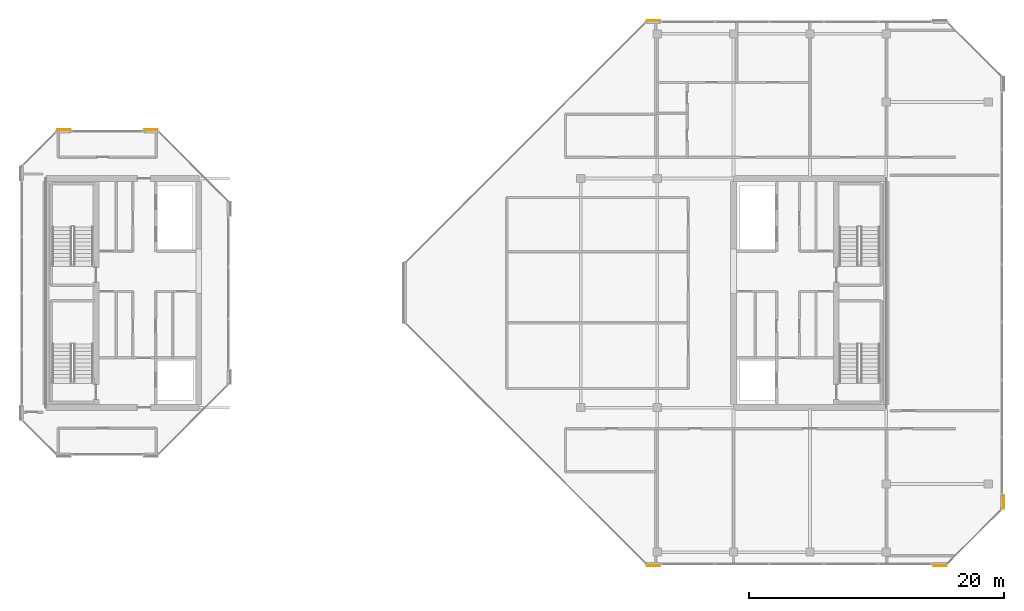
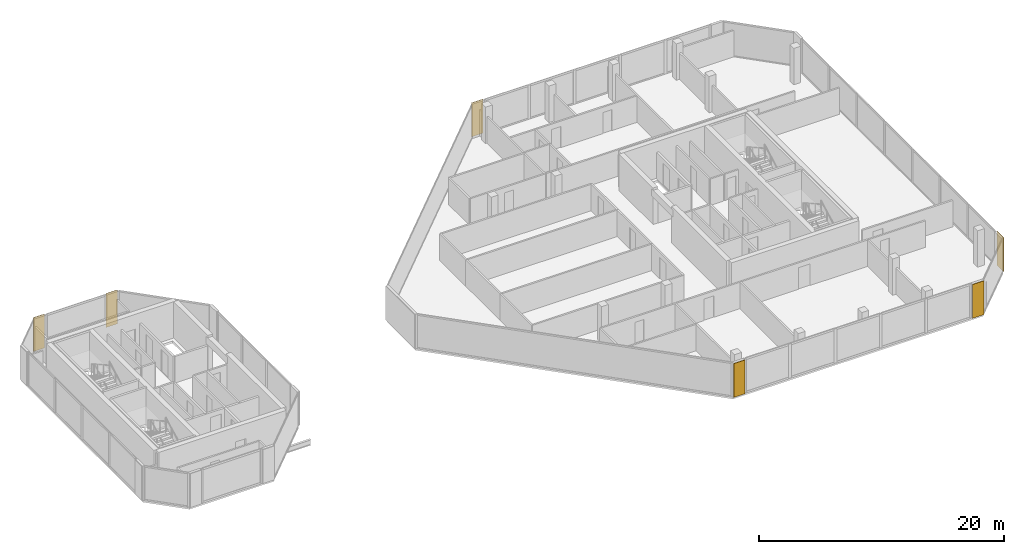
# One storey, part 29 of 30: 6 coverings.
"""IFC4 building model written with IfcOpenShell, lengths in metres."""

from ifc_helpers import new_model, si_unit, direction, frame, origin, origin_2d, place, context, subcontext, project, spatial, rectangle, extrude, material, layer, layer_set, type_object, element, save


model = new_model("IFC4")

# Units and contexts
model_context = context("Model", 3, precision=1e-05, world=origin(), true_north=direction((0.0, 1.0)))
body_context = subcontext(model_context, "Body", "Model", "MODEL_VIEW")
ifc_project = project(units=[si_unit("LENGTHUNIT", "METRE"), si_unit("AREAUNIT", "SQUARE_METRE"), si_unit("VOLUMEUNIT", "CUBIC_METRE"), si_unit("PLANEANGLEUNIT", "RADIAN"), si_unit("MASSUNIT", "GRAM", prefix="KILO")], contexts=[model_context])

# Site, building, storey
site_placement = place(None, origin())
site = spatial("IfcSite", under=ifc_project, at=site_placement, CompositionType="ELEMENT")
building_placement = place(site_placement, origin())
building = spatial("IfcBuilding", under=site, at=building_placement, Name="Tanjung Sevakor Pilgrim Tower", CompositionType="ELEMENT")
storey_placement = place(building_placement, frame((0.0, 0.0, 253.43994140625)))
storey = spatial("IfcBuildingStorey", under=building, at=storey_placement, Name="L71", CompositionType="ELEMENT", Elevation=253.43994140625)

# Coverings
ifc_material = material(Name="Reconstructed Limestone Cladding", Category="masonry")
ifc_layer = layer(ifc_material, 0.044921875)
ifc_layer_set = layer_set([ifc_layer], Name="COV-CLAD-LIMESTONE")
covering_type = type_object("IfcCoveringType", Name="COV-CLAD-LIMESTONE", PredefinedType="CLADDING", material=ifc_layer_set)
for number, where, z_axis, x_axis, name in (
    (1, (32.25439453125, 46.422607421875, 0.02001953125), (0.0, 0.0, 1.0), (-1.0, 0.0, 0.0), "L71 Warm Limestone Wall Cladding EW-CRN1-L71-WEST-4-1"),
    (2, (25.3955078125, 46.422607421875, 0.02001953125), (0.0, 0.0, 1.0), (-1.0, 0.0, 0.0), "L71 Warm Limestone Wall Cladding EW-CRN2-L71-WEST-4-1"),
    (3, (71.695556640625, 12.177490234375, 0.02001953125), (0.0, 0.0, 1.0), (1.0, 0.0, 0.0), "L71 Warm Limestone Wall Cladding EW-CRN1-L71-EAST-0-1"),
    (4, (94.204345703125, 12.177490234375, 0.02001953125), (0.0, 0.0, 1.0), (1.0, 0.0, 0.0), "L71 Warm Limestone Wall Cladding EW-CRN2-L71-EAST-0-1"),
    (5, (99.222412109375, 17.195556640625, 0.02001953125), (0.0, 0.0, 1.0), (0.0, 1.0, 0.0), "L71 Warm Limestone Wall Cladding EW-CRN1-L71-EAST-2-1"),
    (6, (71.695556640625, 55.0224609375, 0.02001953125), (0.0, 0.0, 1.0), (-1.0, 0.0, 0.0), "L71 Warm Limestone Wall Cladding EW-CRN2-L71-EAST-4-1"),
):
    element("IfcCovering", number, at=place(storey_placement, frame(where, z_axis=z_axis, x_axis=x_axis)), inside=storey, type_object=covering_type, Name=name, PredefinedType="CLADDING", context=body_context, shape_type="SweptSolid", body=[
        extrude(rectangle(XDim=1.06005859375, YDim=0.044921875, at=origin_2d()), origin(), (0.0, 0.0, 1.0), 3.3701171875),
    ])

save(model, "model.ifc")
